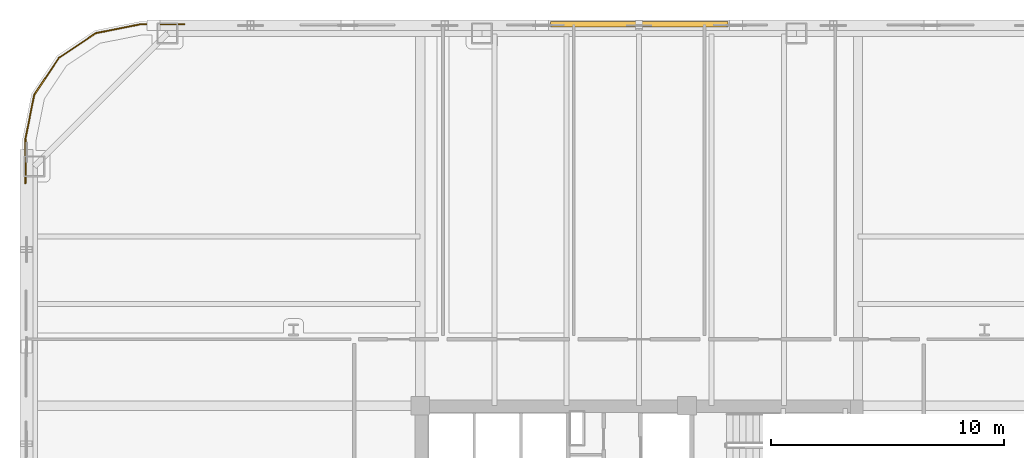
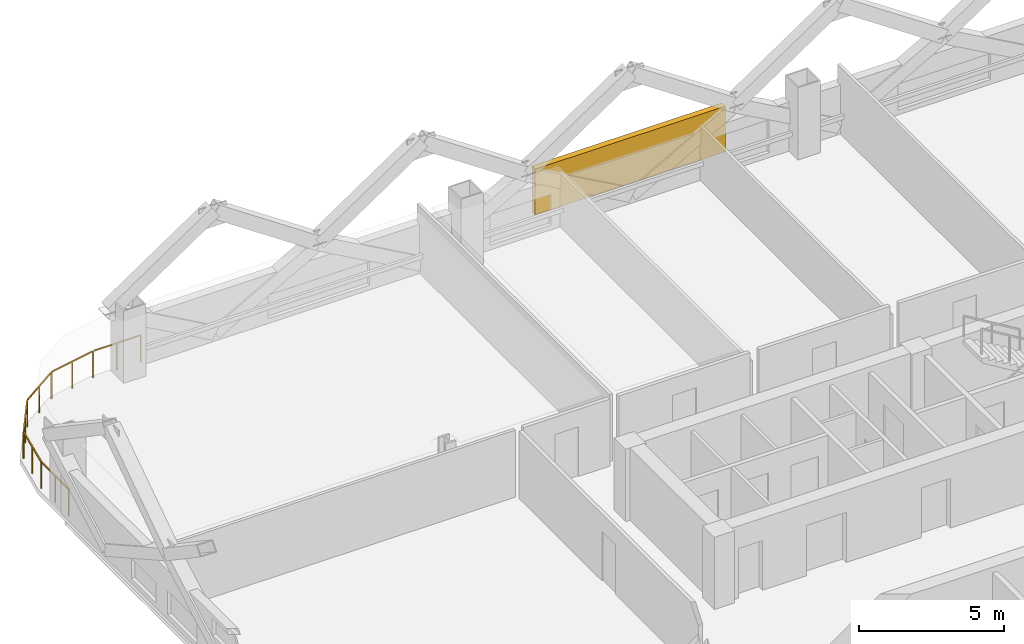
# One storey, part 13 of 14: 1 railing, 1 shading device.
"""IFC4 building model written with IfcOpenShell, lengths in metres."""

import ifcopenshell
import ifcopenshell.guid

model = None  # the IFC model being written
_history = None  # IfcOwnerHistory: only IFC2X3 demands one
_inside = {}  # id of a spatial element -> (the spatial element, [elements in it])
_under = {}  # id of a project, library or spatial element -> (it, [spatial elements below it])
_declared = {}  # id of a project -> (the project, [libraries it declares])
_typed = {}  # id of a type object -> (the type object, [elements of that type])
_made_of = {}  # id of a material, layer set ... -> (it, [elements and type objects made of it])


def new_model(schema):
    """Start an empty IFC model of exactly this schema.

    Asked for "IFC4X3", IfcOpenShell would pick the latest addendum, in which some entities
    have other attributes; the version numbers below select the first issue.
    IFC2X3 requires an IfcOwnerHistory on every rooted entity: one is made here for all.
    """
    global model, _history
    if schema == "IFC4X3":
        model = ifcopenshell.file(schema_version=(4, 3, 0, 0))
    else:
        model = ifcopenshell.file(schema=schema)
    _inside.clear()
    _under.clear()
    _declared.clear()
    _typed.clear()
    _made_of.clear()
    _history = None
    if model.schema == "IFC2X3":
        org = make("IfcOrganization", Name="unknown")
        user = make(
            "IfcPersonAndOrganization",
            ThePerson=make("IfcPerson", FamilyName="unknown"),
            TheOrganization=org,
        )
        app = make(
            "IfcApplication",
            ApplicationDeveloper=org,
            Version="unknown",
            ApplicationFullName="unknown",
            ApplicationIdentifier="unknown",
        )
        _history = make(
            "IfcOwnerHistory",
            OwningUser=user,
            OwningApplication=app,
            ChangeAction="ADDED",
            CreationDate=0,
        )
    return model


def make(cls, **values):
    """One entity of the class cls with the attributes given. An attribute that is None is left unset."""
    return model.create_entity(
        cls, **{name: value for name, value in values.items() if value is not None}
    )


def rooted(cls, **values):
    """An entity with a GlobalId (a new one), such as an element, a storey or a relation."""
    return make(cls, GlobalId=ifcopenshell.guid.new(), OwnerHistory=_history, **values)


def si_unit(unit_type, name, prefix=None):
    """IfcSIUnit, for example si_unit("LENGTHUNIT", "METRE", prefix="MILLI")."""
    return make("IfcSIUnit", UnitType=unit_type, Prefix=prefix, Name=name)


def assignment(units):
    """IfcUnitAssignment: the units of a project."""
    return None if units is None else make("IfcUnitAssignment", Units=units)


def point(xyz):
    """IfcCartesianPoint."""
    return None if xyz is None else make("IfcCartesianPoint", Coordinates=xyz)


def direction(xyz):
    """IfcDirection."""
    return None if xyz is None else make("IfcDirection", DirectionRatios=xyz)


def frame(location, z_axis=None, x_axis=None):
    """IfcAxis2Placement3D, a coordinate frame: its origin and axes. An axis left out is left unset."""
    return make(
        "IfcAxis2Placement3D",
        Location=point(location),
        Axis=direction(z_axis),
        RefDirection=direction(x_axis),
    )


def frame_2d(location, x_axis=None):
    """IfcAxis2Placement2D, a coordinate frame in the plane: its origin and x axis."""
    return make(
        "IfcAxis2Placement2D", Location=point(location), RefDirection=direction(x_axis)
    )


def origin():
    """The frame at (0, 0, 0) with its axes left unset."""
    return frame((0.0, 0.0, 0.0))


def origin_2d():
    """The frame at (0, 0) in the plane with its x axis left unset."""
    return frame_2d((0.0, 0.0))


def place(relative_to, where):
    """IfcLocalPlacement: puts the frame where relative to a parent placement (None: the world)."""
    return make(
        "IfcLocalPlacement", PlacementRelTo=relative_to, RelativePlacement=where
    )


def context(
    kind, dimensions, precision=None, world=None, true_north=None, identifier=None
):
    """IfcGeometricRepresentationContext, for example the 3D "Model" context."""
    return make(
        "IfcGeometricRepresentationContext",
        ContextIdentifier=identifier,
        ContextType=kind,
        CoordinateSpaceDimension=dimensions,
        Precision=precision,
        WorldCoordinateSystem=world,
        TrueNorth=true_north,
    )


def subcontext(parent, identifier, kind, view, scale=None):
    """IfcGeometricRepresentationSubContext, for example "Body" below "Model"."""
    return make(
        "IfcGeometricRepresentationSubContext",
        ContextIdentifier=identifier,
        ContextType=kind,
        ParentContext=parent,
        TargetScale=scale,
        TargetView=view,
    )


def project(units=None, contexts=None):
    """IfcProject with its units and contexts."""
    return rooted(
        "IfcProject",
        Name="project",
        RepresentationContexts=contexts,
        UnitsInContext=assignment(units),
    )


def spatial(cls, under=None, at=None, **own):
    """A site, building, storey or space (cls), placed at a placement, below another one or the project."""
    s = rooted(cls, ObjectPlacement=at, **own)
    if under is not None:
        _under.setdefault(under.id(), (under, []))[1].append(s)
    return s


def profile(cls, at=None, kind="AREA", **sizes):
    """A parametric profile (cls). Its sizes go by their IFC names, for example OverallWidth=200.0."""
    return make(cls, ProfileType=kind, Position=at, **sizes)


def rectangle(**sizes):
    """IfcRectangleProfileDef."""
    return profile("IfcRectangleProfileDef", **sizes)


def extrude(swept, where, along, depth):
    """IfcExtrudedAreaSolid: the profile swept, set in the frame where, extruded along a direction by depth."""
    return make(
        "IfcExtrudedAreaSolid",
        SweptArea=swept,
        Position=where,
        ExtrudedDirection=direction(along),
        Depth=depth,
    )


def shape(context_of_items, identifier, shape_type, items):
    """IfcShapeRepresentation: the items that make up one representation, for example the "Body"."""
    return make(
        "IfcShapeRepresentation",
        ContextOfItems=context_of_items,
        RepresentationIdentifier=identifier,
        RepresentationType=shape_type,
        Items=items,
    )


def material(Name=None, Category=None):
    """IfcMaterial."""
    return make("IfcMaterial", Name=Name, Category=Category)


def made_of(thing, what):
    """Note that an element or type object is made of a material, layer set ...; save() writes the relation."""
    if what is not None:
        _made_of.setdefault(what.id(), (what, []))[1].append(thing)
    return thing


def type_object(cls, material=None, **own):
    """A type object (cls), such as IfcWallType, which elements share."""
    return made_of(rooted(cls, **own), material)


def element(
    cls,
    number,
    at=None,
    inside=None,
    cuts=None,
    type_object=None,
    material=None,
    context=None,
    identifier="Body",
    shape_type=None,
    held_by="IfcProductDefinitionShape",
    body=None,
    shapes=None,
    **own,
):
    """One element of the class cls, such as IfcWall. Its Tag is "e" and its number.

    at: its placement. inside: the storey or other place that contains it. cuts: it is an
    opening in that element (IfcRelVoidsElement). A single representation is given by context,
    identifier, shape_type and body (its items); several are given by shapes. held_by: the class
    of the entity that holds the representations. save() writes the other relations.
    """
    e = rooted(cls, Tag="e%d" % number, ObjectPlacement=at, **own)
    if body is not None:
        shapes = [shape(context, identifier, shape_type, body)]
    if shapes is not None:
        e.Representation = make(held_by, Representations=shapes)
    if inside is not None:
        _inside.setdefault(inside.id(), (inside, []))[1].append(e)
    if cuts is not None:
        rooted(
            "IfcRelVoidsElement", RelatingBuildingElement=cuts, RelatedOpeningElement=e
        )
    if type_object is not None:
        _typed.setdefault(type_object.id(), (type_object, []))[1].append(e)
    return made_of(e, material)


def aggregate(whole, parts):
    """IfcRelAggregates: a whole, such as a stair, and the parts it consists of."""
    return rooted("IfcRelAggregates", RelatingObject=whole, RelatedObjects=parts)


def save(model, path):
    """Write the relations noted so far, then the file.

    IfcRelAggregates (storeys below a building ...), IfcRelContainedInSpatialStructure (elements
    in a storey), IfcRelDefinesByType, IfcRelAssociatesMaterial and IfcRelDeclares: one each for
    every whole, place, type object, material and project.
    """
    for whole, parts in _under.values():
        aggregate(whole, parts)
    for where, things in _inside.values():
        rooted(
            "IfcRelContainedInSpatialStructure",
            RelatedElements=things,
            RelatingStructure=where,
        )
    for kind, things in _typed.values():
        rooted("IfcRelDefinesByType", RelatedObjects=things, RelatingType=kind)
    for what, things in _made_of.values():
        rooted("IfcRelAssociatesMaterial", RelatedObjects=things, RelatingMaterial=what)
    for by, libraries in _declared.values():
        rooted("IfcRelDeclares", RelatingContext=by, RelatedDefinitions=libraries)
    model.write(path)


model = new_model("IFC4")

# Units and contexts
model_context = context("Model", 3, precision=1e-05, world=origin(), true_north=direction((0.0, 1.0)))
body_context = subcontext(model_context, "Body", "Model", "MODEL_VIEW")
ifc_project = project(units=[si_unit("LENGTHUNIT", "METRE"), si_unit("AREAUNIT", "SQUARE_METRE"), si_unit("VOLUMEUNIT", "CUBIC_METRE"), si_unit("PLANEANGLEUNIT", "RADIAN"), si_unit("MASSUNIT", "GRAM", prefix="KILO")], contexts=[model_context])

# Site, building, storey
site_placement = place(None, origin())
site = spatial("IfcSite", under=ifc_project, at=site_placement, CompositionType="ELEMENT")
building_placement = place(site_placement, origin())
building = spatial("IfcBuilding", under=site, at=building_placement, Name="Qhalaya Broadcast Tower", CompositionType="ELEMENT")
storey_placement = place(building_placement, frame((0.0, 0.0, 38.300048828125)))
storey = spatial("IfcBuildingStorey", under=building, at=storey_placement, Name="L10", CompositionType="ELEMENT", Elevation=38.300048828125)

# Railing
ifc_material_1 = material(Name="Powder-Coated Galvanised Steel", Category="steel")
railing_type = type_object("IfcRailingType", Name="Terrace, Sky-Pool & Lookout Glass Balustrade 1150", PredefinedType="BALUSTRADE", material=ifc_material_1)
railing_placement = place(storey_placement, frame((-26.280029296875, 19.48193359375, 0.0)))
element("IfcRailing", 1, at=railing_placement, inside=storey, type_object=railing_type, Name="L10 Rounded Corner Perimeter Guard 03", PredefinedType="BALUSTRADE", context=body_context, shape_type="SweptSolid", body=[
    extrude(rectangle(XDim=0.048095703125, YDim=0.048095703125, at=origin_2d()), frame((0.0, 0.0, 1.1259765625), z_axis=(0.0, 1.0, 0.0), x_axis=(-1.0, 0.0, 0.0)), (0.0, 0.0, 1.0), 1.87744140625),
    extrude(rectangle(XDim=0.048095703125, YDim=0.048095703125, at=origin_2d()), frame((0.005615234375, 1.9345703125, 1.1259765625), z_axis=(0.195037378397, 0.980795810058, 0.0), x_axis=(-0.980795810058, 0.195037378397, 0.0)), (0.0, 0.0, 1.0), 1.857421875),
    extrude(rectangle(XDim=0.048095703125, YDim=0.048095703125, at=origin_2d()), frame((0.3896484375, 3.80859375, 1.1259765625), z_axis=(0.555558355728, 0.831477548332, 0.0), x_axis=(-0.831477548332, 0.555558355728, 0.0)), (0.0, 0.0, 1.0), 1.845458984375),
    extrude(rectangle(XDim=0.048095703125, YDim=0.048095703125, at=origin_2d()), frame((1.454833984375, 5.38330078125, 1.1259765625), z_axis=(0.831477548332, 0.555558355728, 0.0), x_axis=(-0.555558355728, 0.831477548332, 0.0)), (0.0, 0.0, 1.0), 1.845458984375),
    extrude(rectangle(XDim=0.048095703125, YDim=0.048095703125, at=origin_2d()), frame((3.041748046875, 6.43017578125, 1.1259765625), z_axis=(0.980795810058, 0.195037378397, 0.0), x_axis=(-0.195037378397, 0.980795810058, 0.0)), (0.0, 0.0, 1.0), 1.857421875),
    extrude(rectangle(XDim=0.048095703125, YDim=0.048095703125, at=origin_2d()), frame((4.920654296875, 6.798095703125, 1.1259765625), z_axis=(1.0, 0.0, 0.0), x_axis=(0.0, 1.0, 0.0)), (0.0, 0.0, 1.0), 1.87744140625),
    extrude(rectangle(XDim=0.0419921875, YDim=0.0419921875, at=origin_2d()), origin(), (0.0, 0.0, 1.0), 1.099853515625),
    extrude(rectangle(XDim=0.0419921875, YDim=0.0419921875, at=origin_2d()), frame((0.0, 0.953125, 0.0)), (0.0, 0.0, 1.0), 1.099853515625),
    extrude(rectangle(XDim=0.0419921875, YDim=0.0419921875, at=origin_2d()), frame((0.0, 1.90625, 0.0)), (0.0, 0.0, 1.0), 1.099853515625),
    extrude(rectangle(XDim=0.0419921875, YDim=0.0419921875, at=origin_2d()), frame((0.186767578125, 2.845458984375, 0.0)), (0.0, 0.0, 1.0), 1.099853515625),
    extrude(rectangle(XDim=0.0419921875, YDim=0.0419921875, at=origin_2d()), frame((0.37353515625, 3.78466796875, 0.0)), (0.0, 0.0, 1.0), 1.099853515625),
    extrude(rectangle(XDim=0.0419921875, YDim=0.0419921875, at=origin_2d()), frame((0.90234375, 4.575927734375, 0.0)), (0.0, 0.0, 1.0), 1.099853515625),
    extrude(rectangle(XDim=0.0419921875, YDim=0.0419921875, at=origin_2d()), frame((1.430908203125, 5.3671875, 0.0)), (0.0, 0.0, 1.0), 1.099853515625),
    extrude(rectangle(XDim=0.0419921875, YDim=0.0419921875, at=origin_2d()), frame((2.22216796875, 5.89599609375, 0.0)), (0.0, 0.0, 1.0), 1.099853515625),
    extrude(rectangle(XDim=0.0419921875, YDim=0.0419921875, at=origin_2d()), frame((3.013427734375, 6.424560546875, 0.0)), (0.0, 0.0, 1.0), 1.099853515625),
    extrude(rectangle(XDim=0.0419921875, YDim=0.0419921875, at=origin_2d()), frame((3.95263671875, 6.611328125, 0.0)), (0.0, 0.0, 1.0), 1.099853515625),
    extrude(rectangle(XDim=0.0419921875, YDim=0.0419921875, at=origin_2d()), frame((4.891845703125, 6.798095703125, 0.0)), (0.0, 0.0, 1.0), 1.099853515625),
    extrude(rectangle(XDim=0.0419921875, YDim=0.0419921875, at=origin_2d()), frame((5.844970703125, 6.798095703125, 0.0)), (0.0, 0.0, 1.0), 1.099853515625),
    extrude(rectangle(XDim=0.0419921875, YDim=0.0419921875, at=origin_2d()), frame((6.798095703125, 6.798095703125, 0.0)), (0.0, 0.0, 1.0), 1.099853515625),
])

# Shading device
ifc_material_2 = material(Name="Fired Architectural Terracotta", Category="masonry")
shading_device_type = type_object("IfcShadingDeviceType", Name="Terracotta Baguette Solar Screen Assembly TBS-01", PredefinedType="USERDEFINED", material=ifc_material_2)
shading_device_placement = place(storey_placement, frame((0.0, 26.280029296875, 0.79248046875), z_axis=(0.0, 0.0, 1.0), x_axis=(-1.0, 0.0, 0.0)))
element("IfcShadingDevice", 2, at=shading_device_placement, inside=storey, type_object=shading_device_type, Name="L10 Fired Terracotta Baguette Screen N", ObjectType="BAGUETTE", PredefinedType="USERDEFINED", context=body_context, shape_type="SweptSolid", body=[
    extrude(rectangle(XDim=7.60009765625, YDim=0.239990234375, at=origin_2d()), origin(), (0.0, 0.0, 1.0), 1.924072265625),
])

save(model, "model.ifc")
